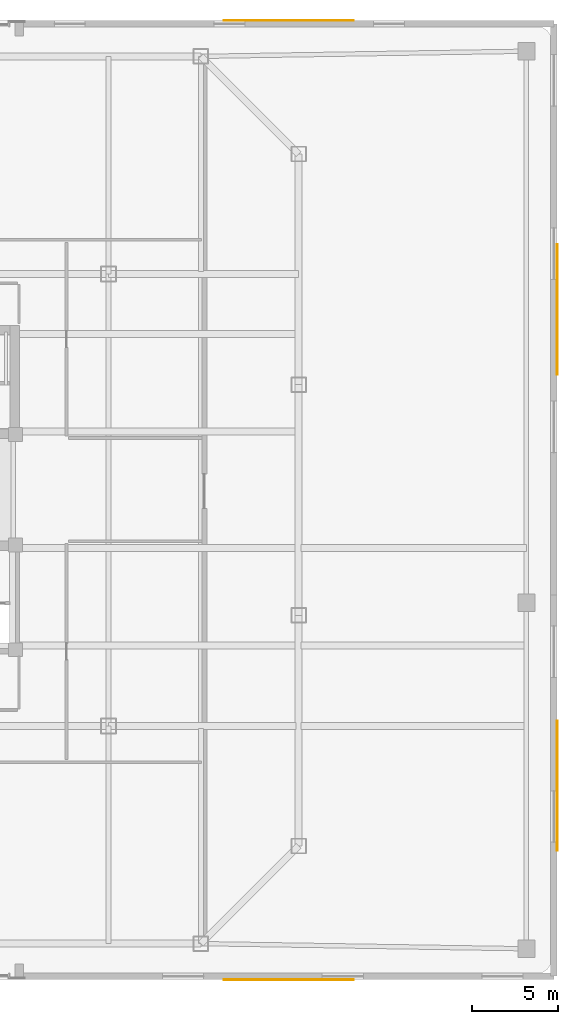
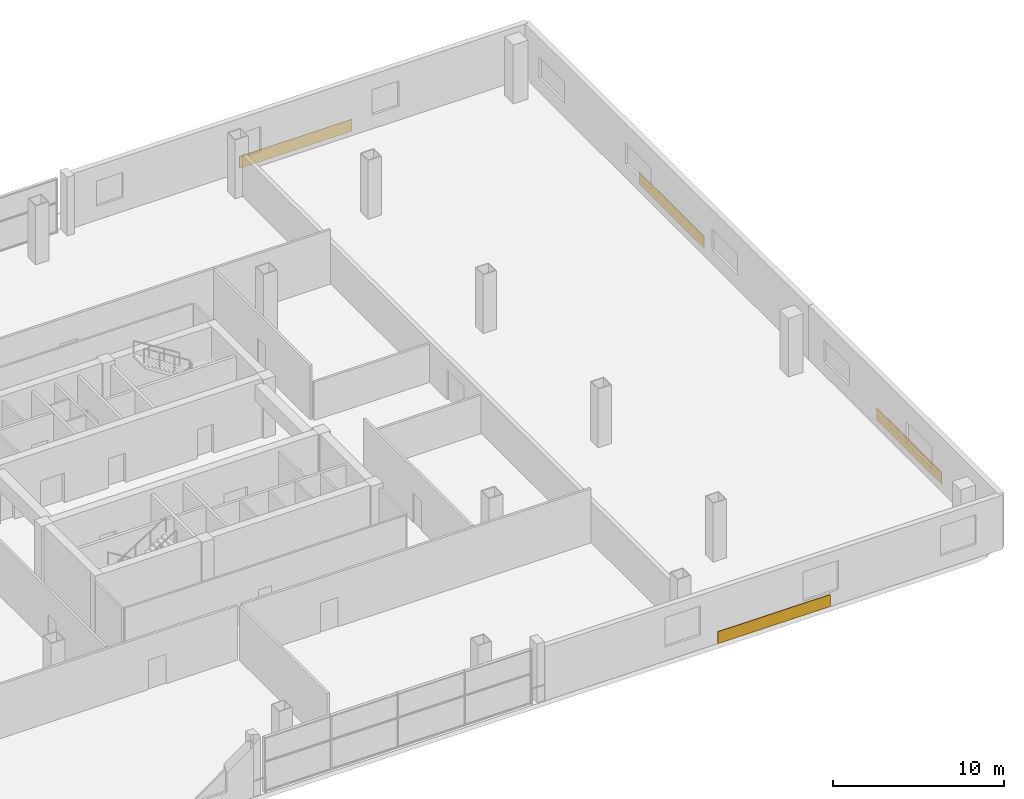
# One storey, part 21 of 21: 4 coverings.
"""IFC4 building model written with IfcOpenShell, lengths in metres."""

from ifc_helpers import new_model, si_unit, direction, frame, origin, origin_2d, place, context, subcontext, project, spatial, rectangle, extrude, material, layer, layer_set, type_object, element, save


model = new_model("IFC4")

# Units and contexts
model_context = context("Model", 3, precision=1e-05, world=origin(), true_north=direction((0.0, 1.0)))
body_context = subcontext(model_context, "Body", "Model", "MODEL_VIEW")
ifc_project = project(units=[si_unit("LENGTHUNIT", "METRE"), si_unit("AREAUNIT", "SQUARE_METRE"), si_unit("VOLUMEUNIT", "CUBIC_METRE"), si_unit("PLANEANGLEUNIT", "RADIAN"), si_unit("MASSUNIT", "GRAM", prefix="KILO")], contexts=[model_context])

# Site, building, storey
site_placement = place(None, origin())
site = spatial("IfcSite", under=ifc_project, at=site_placement, CompositionType="ELEMENT")
building_placement = place(site_placement, origin())
building = spatial("IfcBuilding", under=site, at=building_placement, Name="Qhalaya Broadcast Tower", CompositionType="ELEMENT")
storey_placement = place(building_placement, frame((0.0, 0.0, 5.10009765625)))
storey = spatial("IfcBuildingStorey", under=building, at=storey_placement, Name="L01", CompositionType="ELEMENT", Elevation=5.10009765625)

# Coverings
ifc_material = material(Name="Fired Architectural Terracotta", Category="masonry")
ifc_layer = layer(ifc_material, 0.044921875, Name="Fired Architectural Terracotta")
ifc_layer_set = layer_set([ifc_layer], Name="Fired Architectural Terracotta")
covering_type = type_object("IfcCoveringType", Name="Polychrome Terracotta Rainscreen Cladding CLD-01", PredefinedType="CLADDING", material=ifc_layer_set)
for number, where, z_axis, x_axis, name in (
    (1, (25.320068359375, -28.0, 0.02490234375), (0.0, 0.0, 1.0), (-1.0, 0.0, 0.0), "L01 Terracotta Spandrel Cladding EW-SE"),
    (2, (25.320068359375, 28.0, 0.02490234375), (0.0, 0.0, 1.0), (1.0, 0.0, 0.0), "L01 Terracotta Spandrel Cladding EW-NE"),
    (3, (41.0, -16.675048828125, 0.02490234375), (0.0, 0.0, 1.0), (0.0, -1.0, 0.0), "L01 Terracotta Spandrel Cladding EW-ES"),
    (4, (41.0, 11.125, 0.02490234375), (0.0, 0.0, 1.0), (0.0, -1.0, 0.0), "L01 Terracotta Spandrel Cladding EW-EN"),
):
    element("IfcCovering", number, at=place(storey_placement, frame(where, z_axis=z_axis, x_axis=x_axis)), inside=storey, type_object=covering_type, Name=name, PredefinedType="CLADDING", context=body_context, shape_type="SweptSolid", body=[
        extrude(rectangle(XDim=7.60009765625, YDim=0.044921875, at=origin_2d()), origin(), (0.0, 0.0, 1.0), 0.85009765625),
    ])

save(model, "model.ifc")
